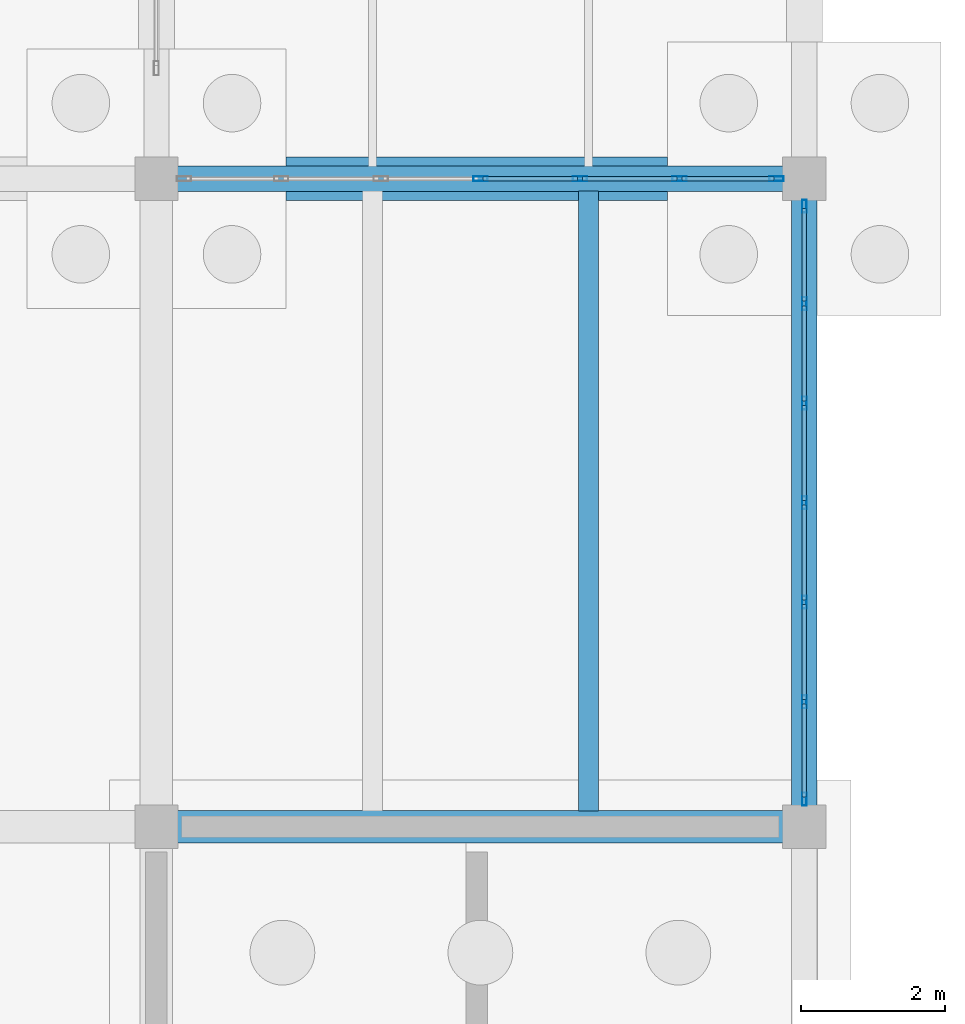
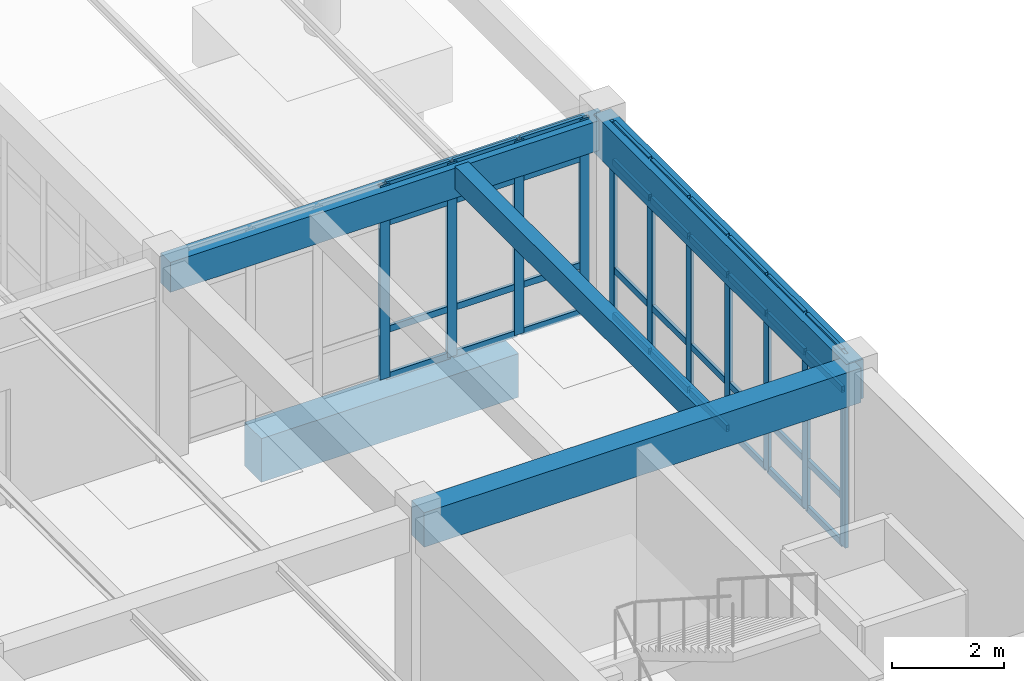
# One storey, part 138 of 186: 47 members, 5 beams, 2 elements without a shape of their own.
"""IFC4 building model written with IfcOpenShell, lengths in metres."""

import ifcopenshell
import ifcopenshell.guid

model = None  # the IFC model being written
_history = None  # IfcOwnerHistory: only IFC2X3 demands one
_inside = {}  # id of a spatial element -> (the spatial element, [elements in it])
_under = {}  # id of a project, library or spatial element -> (it, [spatial elements below it])
_declared = {}  # id of a project -> (the project, [libraries it declares])
_typed = {}  # id of a type object -> (the type object, [elements of that type])
_made_of = {}  # id of a material, layer set ... -> (it, [elements and type objects made of it])


def new_model(schema):
    """Start an empty IFC model of exactly this schema.

    Asked for "IFC4X3", IfcOpenShell would pick the latest addendum, in which some entities
    have other attributes; the version numbers below select the first issue.
    IFC2X3 requires an IfcOwnerHistory on every rooted entity: one is made here for all.
    """
    global model, _history
    if schema == "IFC4X3":
        model = ifcopenshell.file(schema_version=(4, 3, 0, 0))
    else:
        model = ifcopenshell.file(schema=schema)
    _inside.clear()
    _under.clear()
    _declared.clear()
    _typed.clear()
    _made_of.clear()
    _history = None
    if model.schema == "IFC2X3":
        org = make("IfcOrganization", Name="unknown")
        user = make(
            "IfcPersonAndOrganization",
            ThePerson=make("IfcPerson", FamilyName="unknown"),
            TheOrganization=org,
        )
        app = make(
            "IfcApplication",
            ApplicationDeveloper=org,
            Version="unknown",
            ApplicationFullName="unknown",
            ApplicationIdentifier="unknown",
        )
        _history = make(
            "IfcOwnerHistory",
            OwningUser=user,
            OwningApplication=app,
            ChangeAction="ADDED",
            CreationDate=0,
        )
    return model


def make(cls, **values):
    """One entity of the class cls with the attributes given. An attribute that is None is left unset."""
    return model.create_entity(
        cls, **{name: value for name, value in values.items() if value is not None}
    )


def rooted(cls, **values):
    """An entity with a GlobalId (a new one), such as an element, a storey or a relation."""
    return make(cls, GlobalId=ifcopenshell.guid.new(), OwnerHistory=_history, **values)


def si_unit(unit_type, name, prefix=None):
    """IfcSIUnit, for example si_unit("LENGTHUNIT", "METRE", prefix="MILLI")."""
    return make("IfcSIUnit", UnitType=unit_type, Prefix=prefix, Name=name)


def assignment(units):
    """IfcUnitAssignment: the units of a project."""
    return None if units is None else make("IfcUnitAssignment", Units=units)


def point(xyz):
    """IfcCartesianPoint."""
    return None if xyz is None else make("IfcCartesianPoint", Coordinates=xyz)


def direction(xyz):
    """IfcDirection."""
    return None if xyz is None else make("IfcDirection", DirectionRatios=xyz)


def frame(location, z_axis=None, x_axis=None):
    """IfcAxis2Placement3D, a coordinate frame: its origin and axes. An axis left out is left unset."""
    return make(
        "IfcAxis2Placement3D",
        Location=point(location),
        Axis=direction(z_axis),
        RefDirection=direction(x_axis),
    )


def frame_2d(location, x_axis=None):
    """IfcAxis2Placement2D, a coordinate frame in the plane: its origin and x axis."""
    return make(
        "IfcAxis2Placement2D", Location=point(location), RefDirection=direction(x_axis)
    )


def origin():
    """The frame at (0, 0, 0) with its axes left unset."""
    return frame((0.0, 0.0, 0.0))


def origin_2d():
    """The frame at (0, 0) in the plane with its x axis left unset."""
    return frame_2d((0.0, 0.0))


def place(relative_to, where):
    """IfcLocalPlacement: puts the frame where relative to a parent placement (None: the world)."""
    return make(
        "IfcLocalPlacement", PlacementRelTo=relative_to, RelativePlacement=where
    )


def context(
    kind, dimensions, precision=None, world=None, true_north=None, identifier=None
):
    """IfcGeometricRepresentationContext, for example the 3D "Model" context."""
    return make(
        "IfcGeometricRepresentationContext",
        ContextIdentifier=identifier,
        ContextType=kind,
        CoordinateSpaceDimension=dimensions,
        Precision=precision,
        WorldCoordinateSystem=world,
        TrueNorth=true_north,
    )


def subcontext(parent, identifier, kind, view, scale=None):
    """IfcGeometricRepresentationSubContext, for example "Body" below "Model"."""
    return make(
        "IfcGeometricRepresentationSubContext",
        ContextIdentifier=identifier,
        ContextType=kind,
        ParentContext=parent,
        TargetScale=scale,
        TargetView=view,
    )


def project(units=None, contexts=None):
    """IfcProject with its units and contexts."""
    return rooted(
        "IfcProject",
        Name="project",
        RepresentationContexts=contexts,
        UnitsInContext=assignment(units),
    )


def spatial(cls, under=None, at=None, **own):
    """A site, building, storey or space (cls), placed at a placement, below another one or the project."""
    s = rooted(cls, ObjectPlacement=at, **own)
    if under is not None:
        _under.setdefault(under.id(), (under, []))[1].append(s)
    return s


def profile(cls, at=None, kind="AREA", **sizes):
    """A parametric profile (cls). Its sizes go by their IFC names, for example OverallWidth=200.0."""
    return make(cls, ProfileType=kind, Position=at, **sizes)


def rectangle(**sizes):
    """IfcRectangleProfileDef."""
    return profile("IfcRectangleProfileDef", **sizes)


def hollow_rectangle(**sizes):
    """IfcRectangleHollowProfileDef."""
    return profile("IfcRectangleHollowProfileDef", **sizes)


def extrude(swept, where, along, depth):
    """IfcExtrudedAreaSolid: the profile swept, set in the frame where, extruded along a direction by depth."""
    return make(
        "IfcExtrudedAreaSolid",
        SweptArea=swept,
        Position=where,
        ExtrudedDirection=direction(along),
        Depth=depth,
    )


def shape(context_of_items, identifier, shape_type, items):
    """IfcShapeRepresentation: the items that make up one representation, for example the "Body"."""
    return make(
        "IfcShapeRepresentation",
        ContextOfItems=context_of_items,
        RepresentationIdentifier=identifier,
        RepresentationType=shape_type,
        Items=items,
    )


def material(Name=None, Category=None):
    """IfcMaterial."""
    return make("IfcMaterial", Name=Name, Category=Category)


def layer(
    of_material, thickness, ventilated=None, Name=None, Category=None, Priority=None
):
    """IfcMaterialLayer: one layer of a wall or slab, of a material (None: an air gap)."""
    return make(
        "IfcMaterialLayer",
        Material=of_material,
        LayerThickness=thickness,
        IsVentilated=ventilated,
        Name=Name,
        Category=Category,
        Priority=Priority,
    )


def layer_set(layers, Name=None):
    """IfcMaterialLayerSet."""
    return make("IfcMaterialLayerSet", MaterialLayers=layers, LayerSetName=Name)


def material_profile(
    of_material, cross_section, Name=None, Category=None, Priority=None
):
    """IfcMaterialProfile: a cross section and its material."""
    return make(
        "IfcMaterialProfile",
        Name=Name,
        Material=of_material,
        Profile=cross_section,
        Priority=Priority,
        Category=Category,
    )


def profile_set(profiles, Name=None, composite=None):
    """IfcMaterialProfileSet."""
    return make(
        "IfcMaterialProfileSet",
        Name=Name,
        MaterialProfiles=profiles,
        CompositeProfile=composite,
    )


def made_of(thing, what):
    """Note that an element or type object is made of a material, layer set ...; save() writes the relation."""
    if what is not None:
        _made_of.setdefault(what.id(), (what, []))[1].append(thing)
    return thing


def type_object(cls, material=None, **own):
    """A type object (cls), such as IfcWallType, which elements share."""
    return made_of(rooted(cls, **own), material)


def element(
    cls,
    number,
    at=None,
    inside=None,
    cuts=None,
    type_object=None,
    material=None,
    context=None,
    identifier="Body",
    shape_type=None,
    held_by="IfcProductDefinitionShape",
    body=None,
    shapes=None,
    **own,
):
    """One element of the class cls, such as IfcWall. Its Tag is "e" and its number.

    at: its placement. inside: the storey or other place that contains it. cuts: it is an
    opening in that element (IfcRelVoidsElement). A single representation is given by context,
    identifier, shape_type and body (its items); several are given by shapes. held_by: the class
    of the entity that holds the representations. save() writes the other relations.
    """
    e = rooted(cls, Tag="e%d" % number, ObjectPlacement=at, **own)
    if body is not None:
        shapes = [shape(context, identifier, shape_type, body)]
    if shapes is not None:
        e.Representation = make(held_by, Representations=shapes)
    if inside is not None:
        _inside.setdefault(inside.id(), (inside, []))[1].append(e)
    if cuts is not None:
        rooted(
            "IfcRelVoidsElement", RelatingBuildingElement=cuts, RelatedOpeningElement=e
        )
    if type_object is not None:
        _typed.setdefault(type_object.id(), (type_object, []))[1].append(e)
    return made_of(e, material)


def aggregate(whole, parts):
    """IfcRelAggregates: a whole, such as a stair, and the parts it consists of."""
    return rooted("IfcRelAggregates", RelatingObject=whole, RelatedObjects=parts)


def save(model, path):
    """Write the relations noted so far, then the file.

    IfcRelAggregates (storeys below a building ...), IfcRelContainedInSpatialStructure (elements
    in a storey), IfcRelDefinesByType, IfcRelAssociatesMaterial and IfcRelDeclares: one each for
    every whole, place, type object, material and project.
    """
    for whole, parts in _under.values():
        aggregate(whole, parts)
    for where, things in _inside.values():
        rooted(
            "IfcRelContainedInSpatialStructure",
            RelatedElements=things,
            RelatingStructure=where,
        )
    for kind, things in _typed.values():
        rooted("IfcRelDefinesByType", RelatedObjects=things, RelatingType=kind)
    for what, things in _made_of.values():
        rooted("IfcRelAssociatesMaterial", RelatedObjects=things, RelatingMaterial=what)
    for by, libraries in _declared.values():
        rooted("IfcRelDeclares", RelatingContext=by, RelatedDefinitions=libraries)
    model.write(path)


model = new_model("IFC4")

# Units and contexts
model_context = context("Model", 3, precision=1e-05, world=origin(), true_north=direction((0.0, 1.0)))
body_context = subcontext(model_context, "Body", "Model", "MODEL_VIEW")
ifc_project = project(units=[si_unit("LENGTHUNIT", "METRE"), si_unit("AREAUNIT", "SQUARE_METRE"), si_unit("VOLUMEUNIT", "CUBIC_METRE"), si_unit("PLANEANGLEUNIT", "RADIAN"), si_unit("MASSUNIT", "GRAM", prefix="KILO")], contexts=[model_context])

# Site, building, storey
site_placement = place(None, origin())
site = spatial("IfcSite", under=ifc_project, at=site_placement, CompositionType="ELEMENT")
building_placement = place(site_placement, origin())
building = spatial("IfcBuilding", under=site, at=building_placement, Name="Ornek Quay Market", CompositionType="ELEMENT")
storey_placement = place(building_placement, origin())
storey = spatial("IfcBuildingStorey", under=building, at=storey_placement, Name="L00", CompositionType="ELEMENT", Elevation=0.0)

# Beams
ifc_material_1 = material(Name="Concrete C35/45", Category="concrete")
ifc_material_profile_1 = material_profile(ifc_material_1, rectangle(XDim=0.35009765625, YDim=0.64990234375, at=origin_2d()), Name="RC 350x650", Category="concrete")
ifc_profile_set_1 = profile_set([ifc_material_profile_1], Name="Concrete C35/45")
beam_type_1 = type_object("IfcBeamType", Name="BM-CONC-350x650", PredefinedType="BEAM", material=ifc_profile_set_1)
beam_1_placement = place(storey_placement, frame((171.0, 110.0, 3.864990234375), z_axis=(1.0, 0.0, 0.0), x_axis=(0.0, 1.0, 0.0)))
element("IfcBeam", 1, at=beam_1_placement, inside=storey, type_object=beam_type_1, Name="Primary beam B-CN1-038", PredefinedType="BEAM", context=body_context, shape_type="SweptSolid", body=[
    extrude(rectangle(XDim=0.35009765625, YDim=0.64990234375, at=origin_2d()), origin(), (0.0, 0.0, 1.0), 9.0),
])
ifc_material_2 = material(Name="Concrete C40/50", Category="concrete")
ifc_material_profile_2 = material_profile(ifc_material_2, rectangle(XDim=0.449951171875, YDim=0.75, at=origin_2d()), Name="RC 450x750", Category="concrete")
ifc_profile_set_2 = profile_set([ifc_material_profile_2], Name="Concrete C40/50")
beam_type_2 = type_object("IfcBeamType", Name="BM-FC-450x750", PredefinedType="BEAM", material=ifc_profile_set_2)
beam_2_placement = place(storey_placement, frame((171.0, 101.0, 3.85498046875), z_axis=(1.0, 0.0, 0.0), x_axis=(0.0, 1.0, 0.0)))
element("IfcBeam", 2, at=beam_2_placement, inside=storey, type_object=beam_type_2, Name="Primary beam B-FC1-026", PredefinedType="BEAM", context=body_context, shape_type="SweptSolid", body=[
    extrude(rectangle(XDim=0.449951171875, YDim=0.75, at=origin_2d()), origin(), (0.0, 0.0, 1.0), 9.0),
])
ifc_material_profile_3 = material_profile(ifc_material_1, rectangle(XDim=0.60009765625, YDim=0.949951171875, at=origin_2d()), Name="RC 600x950", Category="concrete")
ifc_profile_set_3 = profile_set([ifc_material_profile_3], Name="Concrete C35/45")
beam_type_3 = type_object("IfcBeamType", Name="BM-GB-600x950", PredefinedType="BEAM", material=ifc_profile_set_3)
beam_3_placement = place(storey_placement, frame((172.800048828125, 110.0, -0.675048828125), z_axis=(1.0, 0.0, 0.0), x_axis=(0.0, 1.0, 0.0)))
element("IfcBeam", 3, at=beam_3_placement, inside=storey, type_object=beam_type_3, Name="Ground tie beam GB-355", PredefinedType="BEAM", context=body_context, shape_type="SweptSolid", body=[
    extrude(rectangle(XDim=0.60009765625, YDim=0.949951171875, at=origin_2d()), origin(), (0.0, 0.0, 1.0), 5.300048828125),
])
ifc_material_profile_4 = material_profile(ifc_material_1, rectangle(XDim=0.280029296875, YDim=0.5, at=origin_2d()), Name="RC 280x500", Category="concrete")
ifc_profile_set_4 = profile_set([ifc_material_profile_4], Name="Concrete C35/45")
beam_type_4 = type_object("IfcBeamType", Name="BM-SEC-280x500", PredefinedType="JOIST", material=ifc_profile_set_4)
beam_4_placement = place(storey_placement, frame((177.0, 101.217041015625, 3.97998046875), z_axis=(0.0, 1.0, 0.0), x_axis=(-1.0, 0.0, 0.0)))
element("IfcBeam", 4, at=beam_4_placement, inside=storey, type_object=beam_type_4, Name="Secondary joist B-SC2-070", PredefinedType="JOIST", context=body_context, shape_type="SweptSolid", body=[
    extrude(rectangle(XDim=0.280029296875, YDim=0.5, at=origin_2d()), origin(), (0.0, 0.0, 1.0), 8.615966796875),
])
ifc_material_profile_5 = material_profile(ifc_material_2, rectangle(XDim=0.35009765625, YDim=0.85009765625, at=origin_2d()), Name="RC 350x850", Category="concrete")
ifc_profile_set_5 = profile_set([ifc_material_profile_5], Name="Concrete C40/50")
beam_type_5 = type_object("IfcBeamType", Name="BM-SPN-350x850", PredefinedType="SPANDREL", material=ifc_profile_set_5)
beam_5_placement = place(storey_placement, frame((180.0, 101.0, 3.804931640625), z_axis=(0.0, 1.0, 0.0), x_axis=(-1.0, 0.0, 0.0)))
element("IfcBeam", 5, at=beam_5_placement, inside=storey, type_object=beam_type_5, Name="Primary beam B-SP1-100", PredefinedType="SPANDREL", context=body_context, shape_type="SweptSolid", body=[
    extrude(rectangle(XDim=0.35009765625, YDim=0.85009765625, at=origin_2d()), origin(), (0.0, 0.0, 1.0), 9.0),
])

# Curtain wall, members
ifc_material_3 = material(Name="Anodised bronze aluminium and triple low-e glass", Category="aluminium")
ifc_layer = layer(ifc_material_3, 0.18994140625, Name="Anodised bronze aluminium and triple low-e glass", Category="aluminium")
ifc_layer_set = layer_set([ifc_layer], Name="Anodised bronze aluminium and triple low-e glass")
curtain_wall_type = type_object("IfcCurtainWallType", Name="CW-FC-MOD1500", PredefinedType="USERDEFINED", material=ifc_layer_set)
curtain_wall_1_placement = place(storey_placement, origin())
curtain_wall_1 = element("IfcCurtainWall", 6, at=curtain_wall_1_placement, inside=storey, type_object=curtain_wall_type, Name="Curtain wall CW-082", ObjectType="CURTAIN WALL", PredefinedType="USERDEFINED")
ifc_material_4 = material(Name="Anodised aluminium 6063-T6", Category="aluminium")
ifc_material_profile_6 = material_profile(ifc_material_4, hollow_rectangle(XDim=0.06494140625, YDim=0.179931640625, WallThickness=0.00439453125, at=origin_2d()), Name="CW-MUL-65x180", Category="aluminium")
ifc_profile_set_6 = profile_set([ifc_material_profile_6], Name="Anodised aluminium 6063-T6")
member_type_1 = type_object("IfcMemberType", Name="CW-MUL-65x180", PredefinedType="MULLION", material=ifc_profile_set_6)
member_1_placement = place(storey_placement, frame((180.0, 101.382568359375, 0.0), z_axis=(0.0, 0.0, 1.0), x_axis=(-1.0, 0.0, 0.0)))
member_1 = element("IfcMember", 7, at=member_1_placement, type_object=member_type_1, Name="CW-082 mullion 1", PredefinedType="MULLION", context=body_context, shape_type="SweptSolid", body=[
    extrude(hollow_rectangle(XDim=0.06494140625, YDim=0.179931640625, WallThickness=0.00439453125, at=origin_2d()), origin(), (0.0, 0.0, 1.0), 4.22998046875),
])
member_2_placement = place(storey_placement, frame((180.0, 102.7333984375, 0.0), z_axis=(0.0, 0.0, 1.0), x_axis=(-1.0, 0.0, 0.0)))
member_2 = element("IfcMember", 8, at=member_2_placement, type_object=member_type_1, Name="CW-082 mullion 2", PredefinedType="MULLION", context=body_context, shape_type="SweptSolid", body=[
    extrude(hollow_rectangle(XDim=0.06494140625, YDim=0.179931640625, WallThickness=0.00439453125, at=origin_2d()), origin(), (0.0, 0.0, 1.0), 4.22998046875),
])
member_3_placement = place(storey_placement, frame((180.0, 104.11669921875, 0.0), z_axis=(0.0, 0.0, 1.0), x_axis=(-1.0, 0.0, 0.0)))
member_3 = element("IfcMember", 9, at=member_3_placement, type_object=member_type_1, Name="CW-082 mullion 3", PredefinedType="MULLION", context=body_context, shape_type="SweptSolid", body=[
    extrude(hollow_rectangle(XDim=0.06494140625, YDim=0.179931640625, WallThickness=0.00439453125, at=origin_2d()), origin(), (0.0, 0.0, 1.0), 4.22998046875),
])
member_4_placement = place(storey_placement, frame((180.0, 105.5, 0.0), z_axis=(0.0, 0.0, 1.0), x_axis=(-1.0, 0.0, 0.0)))
member_4 = element("IfcMember", 10, at=member_4_placement, type_object=member_type_1, Name="CW-082 mullion 4", PredefinedType="MULLION", context=body_context, shape_type="SweptSolid", body=[
    extrude(hollow_rectangle(XDim=0.06494140625, YDim=0.179931640625, WallThickness=0.00439453125, at=origin_2d()), origin(), (0.0, 0.0, 1.0), 4.22998046875),
])
member_5_placement = place(storey_placement, frame((180.0, 106.88330078125, 0.0), z_axis=(0.0, 0.0, 1.0), x_axis=(-1.0, 0.0, 0.0)))
member_5 = element("IfcMember", 11, at=member_5_placement, type_object=member_type_1, Name="CW-082 mullion 5", PredefinedType="MULLION", context=body_context, shape_type="SweptSolid", body=[
    extrude(hollow_rectangle(XDim=0.06494140625, YDim=0.179931640625, WallThickness=0.00439453125, at=origin_2d()), origin(), (0.0, 0.0, 1.0), 4.22998046875),
])
member_6_placement = place(storey_placement, frame((180.0, 108.2666015625, 0.0), z_axis=(0.0, 0.0, 1.0), x_axis=(-1.0, 0.0, 0.0)))
member_6 = element("IfcMember", 12, at=member_6_placement, type_object=member_type_1, Name="CW-082 mullion 6", PredefinedType="MULLION", context=body_context, shape_type="SweptSolid", body=[
    extrude(hollow_rectangle(XDim=0.06494140625, YDim=0.179931640625, WallThickness=0.00439453125, at=origin_2d()), origin(), (0.0, 0.0, 1.0), 4.22998046875),
])
member_7_placement = place(storey_placement, frame((180.0, 109.617431640625, 0.0), z_axis=(0.0, 0.0, 1.0), x_axis=(-1.0, 0.0, 0.0)))
member_7 = element("IfcMember", 13, at=member_7_placement, type_object=member_type_1, Name="CW-082 mullion 7", PredefinedType="MULLION", context=body_context, shape_type="SweptSolid", body=[
    extrude(hollow_rectangle(XDim=0.06494140625, YDim=0.179931640625, WallThickness=0.00439453125, at=origin_2d()), origin(), (0.0, 0.0, 1.0), 4.22998046875),
])

curtain_wall_2_placement = place(storey_placement, origin())
curtain_wall_2 = element("IfcCurtainWall", 14, at=curtain_wall_2_placement, inside=storey, type_object=curtain_wall_type, Name="Curtain wall CW-080", ObjectType="CURTAIN WALL", PredefinedType="USERDEFINED")
ifc_material_profile_7 = material_profile(ifc_material_4, hollow_rectangle(XDim=0.070068359375, YDim=0.199951171875, WallThickness=0.0048828125, at=origin_2d()), Name="CW-MUL-70x200", Category="aluminium")
ifc_profile_set_7 = profile_set([ifc_material_profile_7], Name="Anodised aluminium 6063-T6")
member_type_2 = type_object("IfcMemberType", Name="CW-MUL-70x200", PredefinedType="MULLION", material=ifc_profile_set_7)
member_8_placement = place(storey_placement, frame((175.5, 110.0, 0.0), z_axis=(0.0, 0.0, 1.0), x_axis=(0.0, 1.0, 0.0)))
member_8 = element("IfcMember", 15, at=member_8_placement, type_object=member_type_2, Name="CW-080 mullion 4", PredefinedType="MULLION", context=body_context, shape_type="SweptSolid", body=[
    extrude(hollow_rectangle(XDim=0.070068359375, YDim=0.199951171875, WallThickness=0.0048828125, at=origin_2d()), origin(), (0.0, 0.0, 1.0), 4.22998046875),
])
member_9_placement = place(storey_placement, frame((176.88330078125, 110.0, 0.0), z_axis=(0.0, 0.0, 1.0), x_axis=(0.0, 1.0, 0.0)))
member_9 = element("IfcMember", 16, at=member_9_placement, type_object=member_type_2, Name="CW-080 mullion 5", PredefinedType="MULLION", context=body_context, shape_type="SweptSolid", body=[
    extrude(hollow_rectangle(XDim=0.070068359375, YDim=0.199951171875, WallThickness=0.0048828125, at=origin_2d()), origin(), (0.0, 0.0, 1.0), 4.22998046875),
])
member_10_placement = place(storey_placement, frame((178.2666015625, 110.0, 0.0), z_axis=(0.0, 0.0, 1.0), x_axis=(0.0, 1.0, 0.0)))
member_10 = element("IfcMember", 17, at=member_10_placement, type_object=member_type_2, Name="CW-080 mullion 6", PredefinedType="MULLION", context=body_context, shape_type="SweptSolid", body=[
    extrude(hollow_rectangle(XDim=0.070068359375, YDim=0.199951171875, WallThickness=0.0048828125, at=origin_2d()), origin(), (0.0, 0.0, 1.0), 4.22998046875),
])
member_11_placement = place(storey_placement, frame((179.614990234375, 110.0, 0.0), z_axis=(0.0, 0.0, 1.0), x_axis=(0.0, 1.0, 0.0)))
member_11 = element("IfcMember", 18, at=member_11_placement, type_object=member_type_2, Name="CW-080 mullion 7", PredefinedType="MULLION", context=body_context, shape_type="SweptSolid", body=[
    extrude(hollow_rectangle(XDim=0.070068359375, YDim=0.199951171875, WallThickness=0.0048828125, at=origin_2d()), origin(), (0.0, 0.0, 1.0), 4.22998046875),
])
ifc_material_profile_8 = material_profile(ifc_material_4, hollow_rectangle(XDim=0.06494140625, YDim=0.139892578125, WallThickness=0.00439453125, at=origin_2d()), Name="CW-TRN-65x140", Category="aluminium")
ifc_profile_set_8 = profile_set([ifc_material_profile_8], Name="Anodised aluminium 6063-T6")
member_type_3 = type_object("IfcMemberType", Name="CW-TRN-65x140", PredefinedType="USERDEFINED", material=ifc_profile_set_8)
member_12_placement = place(storey_placement, frame((175.534912109375, 110.0, 0.032470703125), z_axis=(1.0, 0.0, 0.0), x_axis=(0.0, 1.0, 0.0)))
member_12 = element("IfcMember", 19, at=member_12_placement, type_object=member_type_3, Name="CW-080 transom 4.1", ObjectType="TRANSOM", PredefinedType="USERDEFINED", context=body_context, shape_type="SweptSolid", body=[
    extrude(hollow_rectangle(XDim=0.06494140625, YDim=0.139892578125, WallThickness=0.00439453125, at=origin_2d()), origin(), (0.0, 0.0, 1.0), 1.3134765625),
])
member_13_placement = place(storey_placement, frame((175.534912109375, 110.0, 1.050048828125), z_axis=(1.0, 0.0, 0.0), x_axis=(0.0, 1.0, 0.0)))
member_13 = element("IfcMember", 20, at=member_13_placement, type_object=member_type_3, Name="CW-080 transom 4.2", ObjectType="TRANSOM", PredefinedType="USERDEFINED", context=body_context, shape_type="SweptSolid", body=[
    extrude(hollow_rectangle(XDim=0.06494140625, YDim=0.139892578125, WallThickness=0.00439453125, at=origin_2d()), origin(), (0.0, 0.0, 1.0), 1.3134765625),
])
member_14_placement = place(storey_placement, frame((175.534912109375, 110.0, 3.3798828125), z_axis=(1.0, 0.0, 0.0), x_axis=(0.0, 1.0, 0.0)))
member_14 = element("IfcMember", 21, at=member_14_placement, type_object=member_type_3, Name="CW-080 transom 4.3", ObjectType="TRANSOM", PredefinedType="USERDEFINED", context=body_context, shape_type="SweptSolid", body=[
    extrude(hollow_rectangle(XDim=0.06494140625, YDim=0.139892578125, WallThickness=0.00439453125, at=origin_2d()), origin(), (0.0, 0.0, 1.0), 1.3134765625),
])
member_15_placement = place(storey_placement, frame((175.534912109375, 110.0, 4.197509765625), z_axis=(1.0, 0.0, 0.0), x_axis=(0.0, 1.0, 0.0)))
member_15 = element("IfcMember", 22, at=member_15_placement, type_object=member_type_3, Name="CW-080 transom 4.4", ObjectType="TRANSOM", PredefinedType="USERDEFINED", context=body_context, shape_type="SweptSolid", body=[
    extrude(hollow_rectangle(XDim=0.06494140625, YDim=0.139892578125, WallThickness=0.00439453125, at=origin_2d()), origin(), (0.0, 0.0, 1.0), 1.3134765625),
])
member_16_placement = place(storey_placement, frame((176.918212890625, 110.0, 0.032470703125), z_axis=(1.0, 0.0, 0.0), x_axis=(0.0, 1.0, 0.0)))
member_16 = element("IfcMember", 23, at=member_16_placement, type_object=member_type_3, Name="CW-080 transom 5.1", ObjectType="TRANSOM", PredefinedType="USERDEFINED", context=body_context, shape_type="SweptSolid", body=[
    extrude(hollow_rectangle(XDim=0.06494140625, YDim=0.139892578125, WallThickness=0.00439453125, at=origin_2d()), origin(), (0.0, 0.0, 1.0), 1.3134765625),
])
member_17_placement = place(storey_placement, frame((176.918212890625, 110.0, 1.050048828125), z_axis=(1.0, 0.0, 0.0), x_axis=(0.0, 1.0, 0.0)))
member_17 = element("IfcMember", 24, at=member_17_placement, type_object=member_type_3, Name="CW-080 transom 5.2", ObjectType="TRANSOM", PredefinedType="USERDEFINED", context=body_context, shape_type="SweptSolid", body=[
    extrude(hollow_rectangle(XDim=0.06494140625, YDim=0.139892578125, WallThickness=0.00439453125, at=origin_2d()), origin(), (0.0, 0.0, 1.0), 1.3134765625),
])
member_18_placement = place(storey_placement, frame((176.918212890625, 110.0, 3.3798828125), z_axis=(1.0, 0.0, 0.0), x_axis=(0.0, 1.0, 0.0)))
member_18 = element("IfcMember", 25, at=member_18_placement, type_object=member_type_3, Name="CW-080 transom 5.3", ObjectType="TRANSOM", PredefinedType="USERDEFINED", context=body_context, shape_type="SweptSolid", body=[
    extrude(hollow_rectangle(XDim=0.06494140625, YDim=0.139892578125, WallThickness=0.00439453125, at=origin_2d()), origin(), (0.0, 0.0, 1.0), 1.3134765625),
])
member_19_placement = place(storey_placement, frame((176.918212890625, 110.0, 4.197509765625), z_axis=(1.0, 0.0, 0.0), x_axis=(0.0, 1.0, 0.0)))
member_19 = element("IfcMember", 26, at=member_19_placement, type_object=member_type_3, Name="CW-080 transom 5.4", ObjectType="TRANSOM", PredefinedType="USERDEFINED", context=body_context, shape_type="SweptSolid", body=[
    extrude(hollow_rectangle(XDim=0.06494140625, YDim=0.139892578125, WallThickness=0.00439453125, at=origin_2d()), origin(), (0.0, 0.0, 1.0), 1.3134765625),
])
member_20_placement = place(storey_placement, frame((178.3017578125, 110.0, 0.032470703125), z_axis=(1.0, 0.0, 0.0), x_axis=(0.0, 1.0, 0.0)))
member_20 = element("IfcMember", 27, at=member_20_placement, type_object=member_type_3, Name="CW-080 transom 6.1", ObjectType="TRANSOM", PredefinedType="USERDEFINED", context=body_context, shape_type="SweptSolid", body=[
    extrude(hollow_rectangle(XDim=0.06494140625, YDim=0.139892578125, WallThickness=0.00439453125, at=origin_2d()), origin(), (0.0, 0.0, 1.0), 1.2783203125),
])
member_21_placement = place(storey_placement, frame((178.3017578125, 110.0, 1.050048828125), z_axis=(1.0, 0.0, 0.0), x_axis=(0.0, 1.0, 0.0)))
member_21 = element("IfcMember", 28, at=member_21_placement, type_object=member_type_3, Name="CW-080 transom 6.2", ObjectType="TRANSOM", PredefinedType="USERDEFINED", context=body_context, shape_type="SweptSolid", body=[
    extrude(hollow_rectangle(XDim=0.06494140625, YDim=0.139892578125, WallThickness=0.00439453125, at=origin_2d()), origin(), (0.0, 0.0, 1.0), 1.2783203125),
])
member_22_placement = place(storey_placement, frame((178.3017578125, 110.0, 3.3798828125), z_axis=(1.0, 0.0, 0.0), x_axis=(0.0, 1.0, 0.0)))
member_22 = element("IfcMember", 29, at=member_22_placement, type_object=member_type_3, Name="CW-080 transom 6.3", ObjectType="TRANSOM", PredefinedType="USERDEFINED", context=body_context, shape_type="SweptSolid", body=[
    extrude(hollow_rectangle(XDim=0.06494140625, YDim=0.139892578125, WallThickness=0.00439453125, at=origin_2d()), origin(), (0.0, 0.0, 1.0), 1.2783203125),
])
member_23_placement = place(storey_placement, frame((178.3017578125, 110.0, 4.197509765625), z_axis=(1.0, 0.0, 0.0), x_axis=(0.0, 1.0, 0.0)))
member_23 = element("IfcMember", 30, at=member_23_placement, type_object=member_type_3, Name="CW-080 transom 6.4", ObjectType="TRANSOM", PredefinedType="USERDEFINED", context=body_context, shape_type="SweptSolid", body=[
    extrude(hollow_rectangle(XDim=0.06494140625, YDim=0.139892578125, WallThickness=0.00439453125, at=origin_2d()), origin(), (0.0, 0.0, 1.0), 1.2783203125),
])
aggregate(curtain_wall_2, [member_8, member_9, member_10, member_11, member_12, member_13, member_14, member_15, member_16, member_17, member_18, member_19, member_20, member_21, member_22, member_23])

# Member
member_24_placement = place(storey_placement, frame((180.0, 101.4150390625, 0.032470703125), z_axis=(0.0, 1.0, 0.0), x_axis=(-1.0, 0.0, 0.0)))
member_24 = element("IfcMember", 31, at=member_24_placement, type_object=member_type_3, Name="CW-082 transom 1.1", ObjectType="TRANSOM", PredefinedType="USERDEFINED", context=body_context, shape_type="SweptSolid", body=[
    extrude(hollow_rectangle(XDim=0.06494140625, YDim=0.139892578125, WallThickness=0.00439453125, at=origin_2d()), origin(), (0.0, 0.0, 1.0), 1.285888671875),
])

member_25_placement = place(storey_placement, frame((180.0, 101.4150390625, 1.050048828125), z_axis=(0.0, 1.0, 0.0), x_axis=(-1.0, 0.0, 0.0)))
member_25 = element("IfcMember", 32, at=member_25_placement, type_object=member_type_3, Name="CW-082 transom 1.2", ObjectType="TRANSOM", PredefinedType="USERDEFINED", context=body_context, shape_type="SweptSolid", body=[
    extrude(hollow_rectangle(XDim=0.06494140625, YDim=0.139892578125, WallThickness=0.00439453125, at=origin_2d()), origin(), (0.0, 0.0, 1.0), 1.285888671875),
])

member_26_placement = place(storey_placement, frame((180.0, 101.4150390625, 3.3798828125), z_axis=(0.0, 1.0, 0.0), x_axis=(-1.0, 0.0, 0.0)))
member_26 = element("IfcMember", 33, at=member_26_placement, type_object=member_type_3, Name="CW-082 transom 1.3", ObjectType="TRANSOM", PredefinedType="USERDEFINED", context=body_context, shape_type="SweptSolid", body=[
    extrude(hollow_rectangle(XDim=0.06494140625, YDim=0.139892578125, WallThickness=0.00439453125, at=origin_2d()), origin(), (0.0, 0.0, 1.0), 1.285888671875),
])

member_27_placement = place(storey_placement, frame((180.0, 101.4150390625, 4.197509765625), z_axis=(0.0, 1.0, 0.0), x_axis=(-1.0, 0.0, 0.0)))
member_27 = element("IfcMember", 34, at=member_27_placement, type_object=member_type_3, Name="CW-082 transom 1.4", ObjectType="TRANSOM", PredefinedType="USERDEFINED", context=body_context, shape_type="SweptSolid", body=[
    extrude(hollow_rectangle(XDim=0.06494140625, YDim=0.139892578125, WallThickness=0.00439453125, at=origin_2d()), origin(), (0.0, 0.0, 1.0), 1.285888671875),
])

member_28_placement = place(storey_placement, frame((180.0, 102.765869140625, 0.032470703125), z_axis=(0.0, 1.0, 0.0), x_axis=(-1.0, 0.0, 0.0)))
member_28 = element("IfcMember", 35, at=member_28_placement, type_object=member_type_3, Name="CW-082 transom 2.1", ObjectType="TRANSOM", PredefinedType="USERDEFINED", context=body_context, shape_type="SweptSolid", body=[
    extrude(hollow_rectangle(XDim=0.06494140625, YDim=0.139892578125, WallThickness=0.00439453125, at=origin_2d()), origin(), (0.0, 0.0, 1.0), 1.318359375),
])

member_29_placement = place(storey_placement, frame((180.0, 102.765869140625, 1.050048828125), z_axis=(0.0, 1.0, 0.0), x_axis=(-1.0, 0.0, 0.0)))
member_29 = element("IfcMember", 36, at=member_29_placement, type_object=member_type_3, Name="CW-082 transom 2.2", ObjectType="TRANSOM", PredefinedType="USERDEFINED", context=body_context, shape_type="SweptSolid", body=[
    extrude(hollow_rectangle(XDim=0.06494140625, YDim=0.139892578125, WallThickness=0.00439453125, at=origin_2d()), origin(), (0.0, 0.0, 1.0), 1.318359375),
])

member_30_placement = place(storey_placement, frame((180.0, 102.765869140625, 3.3798828125), z_axis=(0.0, 1.0, 0.0), x_axis=(-1.0, 0.0, 0.0)))
member_30 = element("IfcMember", 37, at=member_30_placement, type_object=member_type_3, Name="CW-082 transom 2.3", ObjectType="TRANSOM", PredefinedType="USERDEFINED", context=body_context, shape_type="SweptSolid", body=[
    extrude(hollow_rectangle(XDim=0.06494140625, YDim=0.139892578125, WallThickness=0.00439453125, at=origin_2d()), origin(), (0.0, 0.0, 1.0), 1.318359375),
])

member_31_placement = place(storey_placement, frame((180.0, 102.765869140625, 4.197509765625), z_axis=(0.0, 1.0, 0.0), x_axis=(-1.0, 0.0, 0.0)))
member_31 = element("IfcMember", 38, at=member_31_placement, type_object=member_type_3, Name="CW-082 transom 2.4", ObjectType="TRANSOM", PredefinedType="USERDEFINED", context=body_context, shape_type="SweptSolid", body=[
    extrude(hollow_rectangle(XDim=0.06494140625, YDim=0.139892578125, WallThickness=0.00439453125, at=origin_2d()), origin(), (0.0, 0.0, 1.0), 1.318359375),
])

member_32_placement = place(storey_placement, frame((180.0, 104.149169921875, 0.032470703125), z_axis=(0.0, 1.0, 0.0), x_axis=(-1.0, 0.0, 0.0)))
member_32 = element("IfcMember", 39, at=member_32_placement, type_object=member_type_3, Name="CW-082 transom 3.1", ObjectType="TRANSOM", PredefinedType="USERDEFINED", context=body_context, shape_type="SweptSolid", body=[
    extrude(hollow_rectangle(XDim=0.06494140625, YDim=0.139892578125, WallThickness=0.00439453125, at=origin_2d()), origin(), (0.0, 0.0, 1.0), 1.318359375),
])

member_33_placement = place(storey_placement, frame((180.0, 104.149169921875, 1.050048828125), z_axis=(0.0, 1.0, 0.0), x_axis=(-1.0, 0.0, 0.0)))
member_33 = element("IfcMember", 40, at=member_33_placement, type_object=member_type_3, Name="CW-082 transom 3.2", ObjectType="TRANSOM", PredefinedType="USERDEFINED", context=body_context, shape_type="SweptSolid", body=[
    extrude(hollow_rectangle(XDim=0.06494140625, YDim=0.139892578125, WallThickness=0.00439453125, at=origin_2d()), origin(), (0.0, 0.0, 1.0), 1.318359375),
])

member_34_placement = place(storey_placement, frame((180.0, 104.149169921875, 3.3798828125), z_axis=(0.0, 1.0, 0.0), x_axis=(-1.0, 0.0, 0.0)))
member_34 = element("IfcMember", 41, at=member_34_placement, type_object=member_type_3, Name="CW-082 transom 3.3", ObjectType="TRANSOM", PredefinedType="USERDEFINED", context=body_context, shape_type="SweptSolid", body=[
    extrude(hollow_rectangle(XDim=0.06494140625, YDim=0.139892578125, WallThickness=0.00439453125, at=origin_2d()), origin(), (0.0, 0.0, 1.0), 1.318359375),
])

member_35_placement = place(storey_placement, frame((180.0, 104.149169921875, 4.197509765625), z_axis=(0.0, 1.0, 0.0), x_axis=(-1.0, 0.0, 0.0)))
member_35 = element("IfcMember", 42, at=member_35_placement, type_object=member_type_3, Name="CW-082 transom 3.4", ObjectType="TRANSOM", PredefinedType="USERDEFINED", context=body_context, shape_type="SweptSolid", body=[
    extrude(hollow_rectangle(XDim=0.06494140625, YDim=0.139892578125, WallThickness=0.00439453125, at=origin_2d()), origin(), (0.0, 0.0, 1.0), 1.318359375),
])

member_36_placement = place(storey_placement, frame((180.0, 105.532470703125, 0.032470703125), z_axis=(0.0, 1.0, 0.0), x_axis=(-1.0, 0.0, 0.0)))
member_36 = element("IfcMember", 43, at=member_36_placement, type_object=member_type_3, Name="CW-082 transom 4.1", ObjectType="TRANSOM", PredefinedType="USERDEFINED", context=body_context, shape_type="SweptSolid", body=[
    extrude(hollow_rectangle(XDim=0.06494140625, YDim=0.139892578125, WallThickness=0.00439453125, at=origin_2d()), origin(), (0.0, 0.0, 1.0), 1.318359375),
])

member_37_placement = place(storey_placement, frame((180.0, 105.532470703125, 1.050048828125), z_axis=(0.0, 1.0, 0.0), x_axis=(-1.0, 0.0, 0.0)))
member_37 = element("IfcMember", 44, at=member_37_placement, type_object=member_type_3, Name="CW-082 transom 4.2", ObjectType="TRANSOM", PredefinedType="USERDEFINED", context=body_context, shape_type="SweptSolid", body=[
    extrude(hollow_rectangle(XDim=0.06494140625, YDim=0.139892578125, WallThickness=0.00439453125, at=origin_2d()), origin(), (0.0, 0.0, 1.0), 1.318359375),
])

member_38_placement = place(storey_placement, frame((180.0, 105.532470703125, 3.3798828125), z_axis=(0.0, 1.0, 0.0), x_axis=(-1.0, 0.0, 0.0)))
member_38 = element("IfcMember", 45, at=member_38_placement, type_object=member_type_3, Name="CW-082 transom 4.3", ObjectType="TRANSOM", PredefinedType="USERDEFINED", context=body_context, shape_type="SweptSolid", body=[
    extrude(hollow_rectangle(XDim=0.06494140625, YDim=0.139892578125, WallThickness=0.00439453125, at=origin_2d()), origin(), (0.0, 0.0, 1.0), 1.318359375),
])

member_39_placement = place(storey_placement, frame((180.0, 105.532470703125, 4.197509765625), z_axis=(0.0, 1.0, 0.0), x_axis=(-1.0, 0.0, 0.0)))
member_39 = element("IfcMember", 46, at=member_39_placement, type_object=member_type_3, Name="CW-082 transom 4.4", ObjectType="TRANSOM", PredefinedType="USERDEFINED", context=body_context, shape_type="SweptSolid", body=[
    extrude(hollow_rectangle(XDim=0.06494140625, YDim=0.139892578125, WallThickness=0.00439453125, at=origin_2d()), origin(), (0.0, 0.0, 1.0), 1.318359375),
])

member_40_placement = place(storey_placement, frame((180.0, 106.915771484375, 0.032470703125), z_axis=(0.0, 1.0, 0.0), x_axis=(-1.0, 0.0, 0.0)))
member_40 = element("IfcMember", 47, at=member_40_placement, type_object=member_type_3, Name="CW-082 transom 5.1", ObjectType="TRANSOM", PredefinedType="USERDEFINED", context=body_context, shape_type="SweptSolid", body=[
    extrude(hollow_rectangle(XDim=0.06494140625, YDim=0.139892578125, WallThickness=0.00439453125, at=origin_2d()), origin(), (0.0, 0.0, 1.0), 1.318359375),
])

member_41_placement = place(storey_placement, frame((180.0, 106.915771484375, 1.050048828125), z_axis=(0.0, 1.0, 0.0), x_axis=(-1.0, 0.0, 0.0)))
member_41 = element("IfcMember", 48, at=member_41_placement, type_object=member_type_3, Name="CW-082 transom 5.2", ObjectType="TRANSOM", PredefinedType="USERDEFINED", context=body_context, shape_type="SweptSolid", body=[
    extrude(hollow_rectangle(XDim=0.06494140625, YDim=0.139892578125, WallThickness=0.00439453125, at=origin_2d()), origin(), (0.0, 0.0, 1.0), 1.318359375),
])

member_42_placement = place(storey_placement, frame((180.0, 106.915771484375, 3.3798828125), z_axis=(0.0, 1.0, 0.0), x_axis=(-1.0, 0.0, 0.0)))
member_42 = element("IfcMember", 49, at=member_42_placement, type_object=member_type_3, Name="CW-082 transom 5.3", ObjectType="TRANSOM", PredefinedType="USERDEFINED", context=body_context, shape_type="SweptSolid", body=[
    extrude(hollow_rectangle(XDim=0.06494140625, YDim=0.139892578125, WallThickness=0.00439453125, at=origin_2d()), origin(), (0.0, 0.0, 1.0), 1.318359375),
])

member_43_placement = place(storey_placement, frame((180.0, 106.915771484375, 4.197509765625), z_axis=(0.0, 1.0, 0.0), x_axis=(-1.0, 0.0, 0.0)))
member_43 = element("IfcMember", 50, at=member_43_placement, type_object=member_type_3, Name="CW-082 transom 5.4", ObjectType="TRANSOM", PredefinedType="USERDEFINED", context=body_context, shape_type="SweptSolid", body=[
    extrude(hollow_rectangle(XDim=0.06494140625, YDim=0.139892578125, WallThickness=0.00439453125, at=origin_2d()), origin(), (0.0, 0.0, 1.0), 1.318359375),
])

member_44_placement = place(storey_placement, frame((180.0, 108.299072265625, 0.032470703125), z_axis=(0.0, 1.0, 0.0), x_axis=(-1.0, 0.0, 0.0)))
member_44 = element("IfcMember", 51, at=member_44_placement, type_object=member_type_3, Name="CW-082 transom 6.1", ObjectType="TRANSOM", PredefinedType="USERDEFINED", context=body_context, shape_type="SweptSolid", body=[
    extrude(hollow_rectangle(XDim=0.06494140625, YDim=0.139892578125, WallThickness=0.00439453125, at=origin_2d()), origin(), (0.0, 0.0, 1.0), 1.285888671875),
])

member_45_placement = place(storey_placement, frame((180.0, 108.299072265625, 1.050048828125), z_axis=(0.0, 1.0, 0.0), x_axis=(-1.0, 0.0, 0.0)))
member_45 = element("IfcMember", 52, at=member_45_placement, type_object=member_type_3, Name="CW-082 transom 6.2", ObjectType="TRANSOM", PredefinedType="USERDEFINED", context=body_context, shape_type="SweptSolid", body=[
    extrude(hollow_rectangle(XDim=0.06494140625, YDim=0.139892578125, WallThickness=0.00439453125, at=origin_2d()), origin(), (0.0, 0.0, 1.0), 1.285888671875),
])

member_46_placement = place(storey_placement, frame((180.0, 108.299072265625, 3.3798828125), z_axis=(0.0, 1.0, 0.0), x_axis=(-1.0, 0.0, 0.0)))
member_46 = element("IfcMember", 53, at=member_46_placement, type_object=member_type_3, Name="CW-082 transom 6.3", ObjectType="TRANSOM", PredefinedType="USERDEFINED", context=body_context, shape_type="SweptSolid", body=[
    extrude(hollow_rectangle(XDim=0.06494140625, YDim=0.139892578125, WallThickness=0.00439453125, at=origin_2d()), origin(), (0.0, 0.0, 1.0), 1.285888671875),
])

member_47_placement = place(storey_placement, frame((180.0, 108.299072265625, 4.197509765625), z_axis=(0.0, 1.0, 0.0), x_axis=(-1.0, 0.0, 0.0)))
member_47 = element("IfcMember", 54, at=member_47_placement, type_object=member_type_3, Name="CW-082 transom 6.4", ObjectType="TRANSOM", PredefinedType="USERDEFINED", context=body_context, shape_type="SweptSolid", body=[
    extrude(hollow_rectangle(XDim=0.06494140625, YDim=0.139892578125, WallThickness=0.00439453125, at=origin_2d()), origin(), (0.0, 0.0, 1.0), 1.285888671875),
])

aggregate(curtain_wall_1, [member_1, member_2, member_3, member_4, member_5, member_6, member_7, member_24, member_25, member_26, member_27, member_28, member_29, member_30, member_31, member_32, member_33, member_34, member_35, member_36, member_37, member_38, member_39, member_40, member_41, member_42, member_43, member_44, member_45, member_46, member_47])

save(model, "model.ifc")
